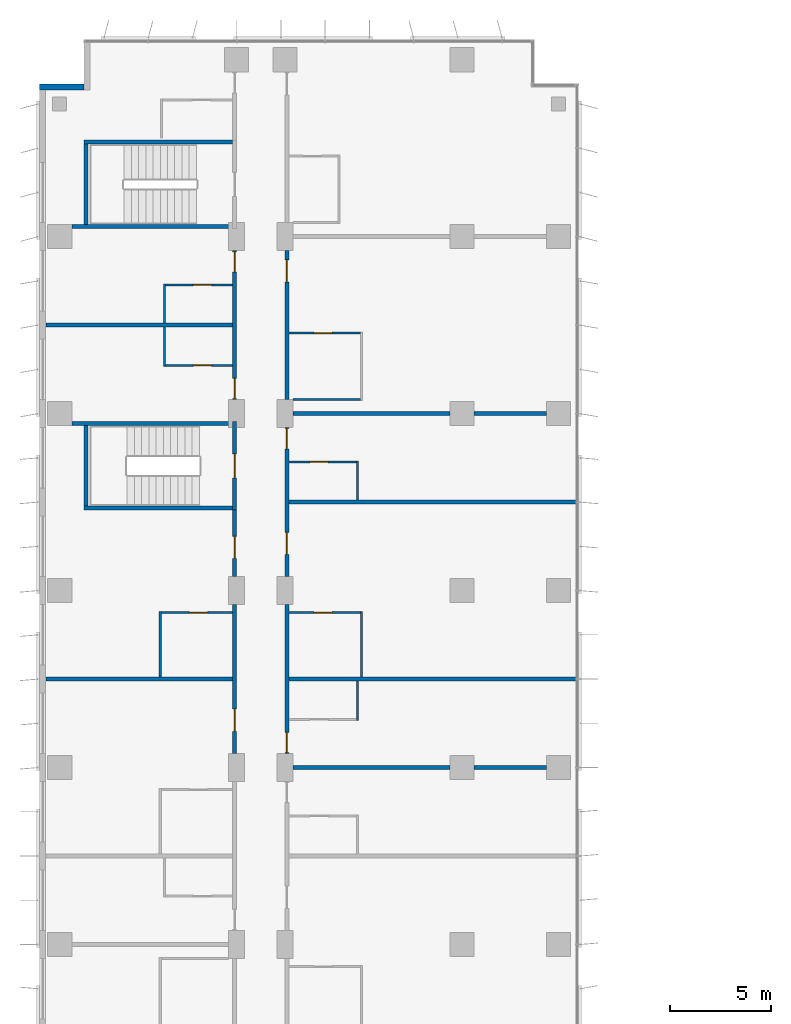
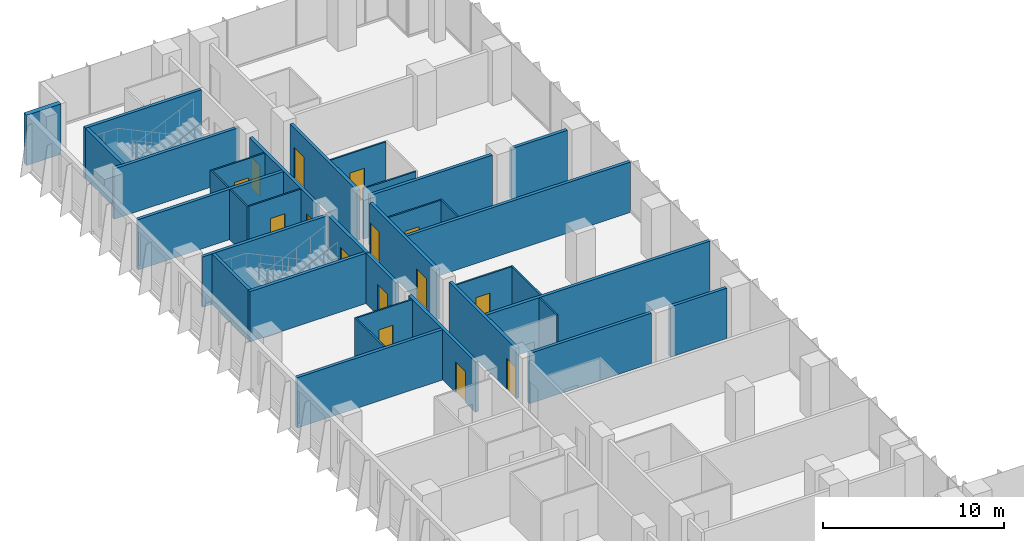
# One storey, part 16 of 22: 35 walls, 15 doors, 15 openings.
"""IFC4 building model written with IfcOpenShell, lengths in metres."""

from ifc_helpers import new_model, si_unit, direction, frame, frame_2d, origin, place, context, subcontext, project, spatial, rectangle, extrude, material, layer, layer_set, type_object, element, fill, save


model = new_model("IFC4")

# Units and contexts
model_context = context("Model", 3, precision=1e-05, world=origin(), true_north=direction((0.0, 1.0)))
body_context = subcontext(model_context, "Body", "Model", "MODEL_VIEW")
ifc_project = project(units=[si_unit("LENGTHUNIT", "METRE"), si_unit("AREAUNIT", "SQUARE_METRE"), si_unit("VOLUMEUNIT", "CUBIC_METRE"), si_unit("PLANEANGLEUNIT", "RADIAN"), si_unit("MASSUNIT", "GRAM", prefix="KILO")], contexts=[model_context])

# Site, building, storey
site_placement = place(None, origin())
site = spatial("IfcSite", under=ifc_project, at=site_placement, CompositionType="ELEMENT")
building_placement = place(site_placement, origin())
building = spatial("IfcBuilding", under=site, at=building_placement, Name="Kemantara Hotel Tower", CompositionType="ELEMENT")
storey_placement = place(building_placement, frame((0.0, 0.0, 107.39990234375)))
storey = spatial("IfcBuildingStorey", under=building, at=storey_placement, Name="L25", CompositionType="ELEMENT", Elevation=107.39990234375)

# Wall
ifc_material_1 = material(Name="Bronze anodised aluminium cladding on insulated steel stud wall", Category="steel")
ifc_layer_1 = layer(ifc_material_1, 0.300048828125)
ifc_layer_set_1 = layer_set([ifc_layer_1], Name="Bronze anodised aluminium cladding on insulated steel stud wall")
wall_type_1 = type_object("IfcWallType", Name="BRONZE METAL-CLAD EXTERNAL WALL 300", PredefinedType="STANDARD", material=ifc_layer_set_1)
wall_1_placement = place(storey_placement, frame((2.199951171875, 78.85009765625, 0.0), z_axis=(0.0, 0.0, 1.0), x_axis=(-1.0, 0.0, 0.0)))
element("IfcWall", 1, at=wall_1_placement, inside=storey, type_object=wall_type_1, Name="EXTERNAL WALL L25 T2-R03", PredefinedType="STANDARD", context=body_context, shape_type="SweptSolid", body=[
    extrude(rectangle(XDim=2.199951171875, YDim=0.300048828125, at=frame_2d((1.10009765625, 0.0))), origin(), (0.0, 0.0, 1.0), 3.400146484375),
])

# Wall, opening, door
ifc_material_2 = material(Name="Gypsum board partition, steel studs and mineral wool, 200 mm", Category="steel")
ifc_layer_2 = layer(ifc_material_2, 0.199951171875)
ifc_layer_set_2 = layer_set([ifc_layer_2], Name="Gypsum board partition, steel studs and mineral wool, 200 mm")
wall_type_2 = type_object("IfcWallType", Name="CORRIDOR WALL 200", PredefinedType="PARTITIONING", material=ifc_layer_set_2)
wall_2_placement = place(storey_placement, frame((9.699951171875, 45.7001953125, 0.0), z_axis=(0.0, 0.0, 1.0), x_axis=(0.0, 1.0, 0.0)))
wall_2 = element("IfcWall", 2, at=wall_2_placement, inside=storey, type_object=wall_type_2, Name="CORRIDOR WALL 200 021", PredefinedType="PARTITIONING", context=body_context, shape_type="SweptSolid", body=[
    extrude(rectangle(XDim=7.399658203125, YDim=0.199951171875, at=frame_2d((3.69970703125, 0.0))), origin(), (0.0, 0.0, 1.0), 3.400146484375),
])
opening_1_placement = place(wall_2_placement, frame((1.099853515625, 0.0, 0.0)))
opening_1 = element("IfcOpeningElement", 3, at=opening_1_placement, cuts=wall_2, Name="Opening F11-027", PredefinedType="OPENING", context=body_context, shape_type="SweptSolid", body=[
    extrude(rectangle(XDim=1.10009765625, YDim=2.10009765625, at=frame_2d((0.550048828125, 1.050048828125))), frame((0.0, 0.10986328125, 0.0), z_axis=(0.0, -1.0, 0.0), x_axis=(1.0, 0.0, 0.0)), (0.0, 0.0, 1.0), 0.219970703125),
])
ifc_material_3 = material(Name="Hardwood veneer door leaf with steel frame", Category="steel")
door_type_1 = type_object("IfcDoorType", Name="SUITE ENTRANCE DOOR 1100 X 2100 FD30S", OperationType="NOTDEFINED", PredefinedType="DOOR", material=ifc_material_3)
door_1_placement = place(opening_1_placement, origin())
door_1 = element("IfcDoor", 4, at=door_1_placement, inside=storey, type_object=door_type_1, Name="SUITE ENTRANCE DOOR F11-027", OperationType="SINGLE_SWING_RIGHT", OverallHeight=2.10009765625, OverallWidth=1.10009765625, PredefinedType="DOOR", context=body_context, shape_type="SweptSolid", body=[
    extrude(rectangle(XDim=1.10009765625, YDim=2.10009765625, at=frame_2d((0.550048828125, 1.050048828125))), frame((0.0, 0.02490234375, 0.0), z_axis=(0.0, -1.0, 0.0), x_axis=(1.0, 0.0, 0.0)), (0.0, 0.0, 1.0), 0.050048828125),
])
fill(opening_1, door_1)

wall_3_placement = place(storey_placement, frame((9.699951171875, 54.5, 0.0), z_axis=(0.0, 0.0, 1.0), x_axis=(0.0, 1.0, 0.0)))
wall_3 = element("IfcWall", 5, at=wall_3_placement, inside=storey, type_object=wall_type_2, Name="CORRIDOR WALL 200 022", PredefinedType="PARTITIONING", context=body_context, shape_type="SweptSolid", body=[
    extrude(rectangle(XDim=3.300048828125, YDim=0.199951171875, at=frame_2d((1.64990234375, 0.0))), origin(), (0.0, 0.0, 1.0), 3.400146484375),
])
opening_2_placement = place(wall_3_placement, frame((0.89990234375, 0.0, 0.0)))
opening_2 = element("IfcOpeningElement", 6, at=opening_2_placement, cuts=wall_3, Name="Opening F11-029", PredefinedType="OPENING", context=body_context, shape_type="SweptSolid", body=[
    extrude(rectangle(XDim=1.10009765625, YDim=2.10009765625, at=frame_2d((0.550048828125, 1.050048828125))), frame((0.0, 0.10986328125, 0.0), z_axis=(0.0, -1.0, 0.0), x_axis=(1.0, 0.0, 0.0)), (0.0, 0.0, 1.0), 0.219970703125),
])
door_2_placement = place(opening_2_placement, origin())
door_2 = element("IfcDoor", 7, at=door_2_placement, inside=storey, type_object=door_type_1, Name="SUITE ENTRANCE DOOR F11-029", OperationType="SINGLE_SWING_RIGHT", OverallHeight=2.10009765625, OverallWidth=1.10009765625, PredefinedType="DOOR", context=body_context, shape_type="SweptSolid", body=[
    extrude(rectangle(XDim=1.10009765625, YDim=2.10009765625, at=frame_2d((0.550048828125, 1.050048828125))), frame((0.0, 0.02490234375, 0.0), z_axis=(0.0, -1.0, 0.0), x_axis=(1.0, 0.0, 0.0)), (0.0, 0.0, 1.0), 0.050048828125),
])
fill(opening_2, door_2)

# Wall, openings, doors
wall_4_placement = place(storey_placement, frame((9.699951171875, 63.300048828125, 0.0), z_axis=(0.0, 0.0, 1.0), x_axis=(0.0, 1.0, 0.0)))
wall_4 = element("IfcWall", 8, at=wall_4_placement, inside=storey, type_object=wall_type_2, Name="CORRIDOR WALL 200 023", PredefinedType="PARTITIONING", context=body_context, shape_type="SweptSolid", body=[
    extrude(rectangle(XDim=7.39990234375, YDim=0.199951171875, at=frame_2d((3.699951171875, 0.0))), origin(), (0.0, 0.0, 1.0), 3.400146484375),
])
opening_3_placement = place(wall_4_placement, frame((0.0498046875, 0.0, 0.0)))
opening_3 = element("IfcOpeningElement", 9, at=opening_3_placement, cuts=wall_4, Name="Opening F11-031", PredefinedType="OPENING", context=body_context, shape_type="SweptSolid", body=[
    extrude(rectangle(XDim=1.0, YDim=2.10009765625, at=frame_2d((0.5, 1.050048828125))), frame((0.0, 0.10986328125, 0.0), z_axis=(0.0, -1.0, 0.0), x_axis=(1.0, 0.0, 0.0)), (0.0, 0.0, 1.0), 0.219970703125),
])
opening_4_placement = place(wall_4_placement, frame((6.349853515625, 0.0, 0.0)))
opening_4 = element("IfcOpeningElement", 10, at=opening_4_placement, cuts=wall_4, Name="Opening F11-033", PredefinedType="OPENING", context=body_context, shape_type="SweptSolid", body=[
    extrude(rectangle(XDim=1.0, YDim=2.10009765625, at=frame_2d((0.5, 1.050048828125))), frame((0.0, 0.10986328125, 0.0), z_axis=(0.0, -1.0, 0.0), x_axis=(1.0, 0.0, 0.0)), (0.0, 0.0, 1.0), 0.219970703125),
])
door_type_2 = type_object("IfcDoorType", Name="GUEST ROOM DOOR 1000 X 2100 FD30S", OperationType="NOTDEFINED", PredefinedType="DOOR", material=ifc_material_3)
door_3_placement = place(opening_3_placement, origin())
door_3 = element("IfcDoor", 11, at=door_3_placement, inside=storey, type_object=door_type_2, Name="GUEST ROOM DOOR F11-031", OperationType="SINGLE_SWING_LEFT", OverallHeight=2.10009765625, OverallWidth=1.0, PredefinedType="DOOR", context=body_context, shape_type="SweptSolid", body=[
    extrude(rectangle(XDim=1.0, YDim=2.10009765625, at=frame_2d((0.5, 1.050048828125))), frame((0.0, 0.02490234375, 0.0), z_axis=(0.0, -1.0, 0.0), x_axis=(1.0, 0.0, 0.0)), (0.0, 0.0, 1.0), 0.050048828125),
])
fill(opening_3, door_3)
door_4_placement = place(opening_4_placement, origin())
door_4 = element("IfcDoor", 12, at=door_4_placement, inside=storey, type_object=door_type_2, Name="GUEST ROOM DOOR F11-033", OperationType="SINGLE_SWING_RIGHT", OverallHeight=2.10009765625, OverallWidth=1.0, PredefinedType="DOOR", context=body_context, shape_type="SweptSolid", body=[
    extrude(rectangle(XDim=1.0, YDim=2.10009765625, at=frame_2d((0.5, 1.050048828125))), frame((0.0, 0.02490234375, 0.0), z_axis=(0.0, -1.0, 0.0), x_axis=(1.0, 0.0, 0.0)), (0.0, 0.0, 1.0), 0.050048828125),
])
fill(opening_4, door_4)

# Wall, opening, door
wall_5_placement = place(storey_placement, frame((12.300048828125, 53.099853515625, 0.0), z_axis=(0.0, 0.0, 1.0), x_axis=(0.0, -1.0, 0.0)))
wall_5 = element("IfcWall", 13, at=wall_5_placement, inside=storey, type_object=wall_type_2, Name="CORRIDOR WALL 200 036", PredefinedType="PARTITIONING", context=body_context, shape_type="SweptSolid", body=[
    extrude(rectangle(XDim=7.399658203125, YDim=0.199951171875, at=frame_2d((3.69970703125, 0.0))), origin(), (0.0, 0.0, 1.0), 3.400146484375),
])
opening_5_placement = place(wall_5_placement, frame((6.349853515625, 0.0, 0.0)))
opening_5 = element("IfcOpeningElement", 14, at=opening_5_placement, cuts=wall_5, Name="Opening F11-043", PredefinedType="OPENING", context=body_context, shape_type="SweptSolid", body=[
    extrude(rectangle(XDim=1.0, YDim=2.10009765625, at=frame_2d((0.5, 1.050048828125))), frame((0.0, 0.10986328125, 0.0), z_axis=(0.0, -1.0, 0.0), x_axis=(1.0, 0.0, 0.0)), (0.0, 0.0, 1.0), 0.219970703125),
])
door_5_placement = place(opening_5_placement, origin())
door_5 = element("IfcDoor", 15, at=door_5_placement, inside=storey, type_object=door_type_2, Name="GUEST ROOM DOOR F11-043", OperationType="SINGLE_SWING_RIGHT", OverallHeight=2.10009765625, OverallWidth=1.0, PredefinedType="DOOR", context=body_context, shape_type="SweptSolid", body=[
    extrude(rectangle(XDim=1.0, YDim=2.10009765625, at=frame_2d((0.5, 1.050048828125))), frame((0.0, 0.02490234375, 0.0), z_axis=(0.0, -1.0, 0.0), x_axis=(1.0, 0.0, 0.0)), (0.0, 0.0, 1.0), 0.050048828125),
])
fill(opening_5, door_5)

# Wall, openings, doors
wall_6_placement = place(storey_placement, frame((12.300048828125, 61.89990234375, 0.0), z_axis=(0.0, 0.0, 1.0), x_axis=(0.0, -1.0, 0.0)))
wall_6 = element("IfcWall", 16, at=wall_6_placement, inside=storey, type_object=wall_type_2, Name="CORRIDOR WALL 200 037", PredefinedType="PARTITIONING", context=body_context, shape_type="SweptSolid", body=[
    extrude(rectangle(XDim=7.39990234375, YDim=0.199951171875, at=frame_2d((3.699951171875, 0.0))), origin(), (0.0, 0.0, 1.0), 3.400146484375),
])
opening_6_placement = place(wall_6_placement, frame((5.199951171875, 0.0, 0.0)))
opening_6 = element("IfcOpeningElement", 17, at=opening_6_placement, cuts=wall_6, Name="Opening F11-045", PredefinedType="OPENING", context=body_context, shape_type="SweptSolid", body=[
    extrude(rectangle(XDim=1.10009765625, YDim=2.10009765625, at=frame_2d((0.550048828125, 1.050048828125))), frame((0.0, 0.10986328125, 0.0), z_axis=(0.0, -1.0, 0.0), x_axis=(1.0, 0.0, 0.0)), (0.0, 0.0, 1.0), 0.219970703125),
])
opening_7_placement = place(wall_6_placement, frame((0.0498046875, 0.0, 0.0)))
opening_7 = element("IfcOpeningElement", 18, at=opening_7_placement, cuts=wall_6, Name="Opening F11-047", PredefinedType="OPENING", context=body_context, shape_type="SweptSolid", body=[
    extrude(rectangle(XDim=1.0, YDim=2.10009765625, at=frame_2d((0.5, 1.050048828125))), frame((0.0, 0.10986328125, 0.0), z_axis=(0.0, -1.0, 0.0), x_axis=(1.0, 0.0, 0.0)), (0.0, 0.0, 1.0), 0.219970703125),
])
door_6_placement = place(opening_7_placement, origin())
door_6 = element("IfcDoor", 19, at=door_6_placement, inside=storey, type_object=door_type_2, Name="GUEST ROOM DOOR F11-047", OperationType="SINGLE_SWING_LEFT", OverallHeight=2.10009765625, OverallWidth=1.0, PredefinedType="DOOR", context=body_context, shape_type="SweptSolid", body=[
    extrude(rectangle(XDim=1.0, YDim=2.10009765625, at=frame_2d((0.5, 1.050048828125))), frame((0.0, 0.02490234375, 0.0), z_axis=(0.0, -1.0, 0.0), x_axis=(1.0, 0.0, 0.0)), (0.0, 0.0, 1.0), 0.050048828125),
])
fill(opening_7, door_6)
door_7_placement = place(opening_6_placement, origin())
door_7 = element("IfcDoor", 20, at=door_7_placement, inside=storey, type_object=door_type_1, Name="SUITE ENTRANCE DOOR F11-045", OperationType="SINGLE_SWING_LEFT", OverallHeight=2.10009765625, OverallWidth=1.10009765625, PredefinedType="DOOR", context=body_context, shape_type="SweptSolid", body=[
    extrude(rectangle(XDim=1.10009765625, YDim=2.10009765625, at=frame_2d((0.550048828125, 1.050048828125))), frame((0.0, 0.02490234375, 0.0), z_axis=(0.0, -1.0, 0.0), x_axis=(1.0, 0.0, 0.0)), (0.0, 0.0, 1.0), 0.050048828125),
])
fill(opening_6, door_7)

# Wall, opening, door
wall_7_placement = place(storey_placement, frame((12.300048828125, 70.699951171875, 0.0), z_axis=(0.0, 0.0, 1.0), x_axis=(0.0, -1.0, 0.0)))
wall_7 = element("IfcWall", 21, at=wall_7_placement, inside=storey, type_object=wall_type_2, Name="CORRIDOR WALL 200 038", PredefinedType="PARTITIONING", context=body_context, shape_type="SweptSolid", body=[
    extrude(rectangle(XDim=7.39990234375, YDim=0.199951171875, at=frame_2d((3.699951171875, 0.0))), origin(), (0.0, 0.0, 1.0), 3.400146484375),
])
opening_8_placement = place(wall_7_placement, frame((0.449951171875, 0.0, 0.0)))
opening_8 = element("IfcOpeningElement", 22, at=opening_8_placement, cuts=wall_7, Name="Opening F11-049", PredefinedType="OPENING", context=body_context, shape_type="SweptSolid", body=[
    extrude(rectangle(XDim=1.10009765625, YDim=2.10009765625, at=frame_2d((0.550048828125, 1.050048828125))), frame((0.0, 0.10986328125, 0.0), z_axis=(0.0, -1.0, 0.0), x_axis=(1.0, 0.0, 0.0)), (0.0, 0.0, 1.0), 0.219970703125),
])
door_8_placement = place(opening_8_placement, origin())
door_8 = element("IfcDoor", 23, at=door_8_placement, inside=storey, type_object=door_type_1, Name="SUITE ENTRANCE DOOR F11-049", OperationType="SINGLE_SWING_LEFT", OverallHeight=2.10009765625, OverallWidth=1.10009765625, PredefinedType="DOOR", context=body_context, shape_type="SweptSolid", body=[
    extrude(rectangle(XDim=1.10009765625, YDim=2.10009765625, at=frame_2d((0.550048828125, 1.050048828125))), frame((0.0, 0.02490234375, 0.0), z_axis=(0.0, -1.0, 0.0), x_axis=(1.0, 0.0, 0.0)), (0.0, 0.0, 1.0), 0.050048828125),
])
fill(opening_8, door_8)

ifc_material_4 = material(Name="Concrete fc 40 MPa", Category="concrete")
ifc_layer_3 = layer(ifc_material_4, 0.199951171875)
ifc_layer_set_3 = layer_set([ifc_layer_3], Name="Concrete fc 40 MPa")
wall_type_3 = type_object("IfcWallType", Name="Concrete stair wall 200 mm", PredefinedType="SHEAR", material=ifc_layer_set_3)
wall_8_placement = place(storey_placement, frame((9.699951171875, 57.800048828125, 0.0), z_axis=(0.0, 0.0, 1.0), x_axis=(0.0, 1.0, 0.0)))
wall_8 = element("IfcWall", 24, at=wall_8_placement, inside=storey, type_object=wall_type_3, Name="Stair ST4 enclosure wall with door", PredefinedType="SHEAR", context=body_context, shape_type="SweptSolid", body=[
    extrude(rectangle(XDim=4.39990234375, YDim=0.199951171875, at=frame_2d((2.199951171875, 0.0))), origin(), (0.0, 0.0, 1.0), 3.400146484375),
])
opening_9_placement = place(wall_8_placement, frame((1.60009765625, 0.0, 0.0)))
opening_9 = element("IfcOpeningElement", 25, at=opening_9_placement, cuts=wall_8, Name="Opening ST4-C", PredefinedType="OPENING", context=body_context, shape_type="SweptSolid", body=[
    extrude(rectangle(XDim=1.199951171875, YDim=2.10009765625, at=frame_2d((0.60009765625, 1.050048828125))), frame((0.0, 0.10986328125, 0.0), z_axis=(0.0, -1.0, 0.0), x_axis=(1.0, 0.0, 0.0)), (0.0, 0.0, 1.0), 0.219970703125),
])
ifc_material_5 = material(Name="Steel fire door", Category="steel")
door_type_3 = type_object("IfcDoorType", Name="Fire door FD90 1200 x 2100", OperationType="NOTDEFINED", PredefinedType="DOOR", material=ifc_material_5)
door_9_placement = place(opening_9_placement, origin())
door_9 = element("IfcDoor", 26, at=door_9_placement, inside=storey, type_object=door_type_3, Name="Stair ST4 door", OperationType="SINGLE_SWING_RIGHT", OverallHeight=2.10009765625, OverallWidth=1.199951171875, PredefinedType="DOOR", context=body_context, shape_type="SweptSolid", body=[
    extrude(rectangle(XDim=1.199951171875, YDim=2.10009765625, at=frame_2d((0.60009765625, 1.050048828125))), frame((0.0, 0.02490234375, 0.0), z_axis=(0.0, -1.0, 0.0), x_axis=(1.0, 0.0, 0.0)), (0.0, 0.0, 1.0), 0.050048828125),
])
fill(opening_9, door_9)

# Walls
wall_9_placement = place(storey_placement, frame((1.60009765625, 62.10009765625, 0.0), z_axis=(0.0, 0.0, 1.0), x_axis=(1.0, 0.0, 0.0)))
element("IfcWall", 27, at=wall_9_placement, inside=storey, type_object=wall_type_3, Name="Stair ST4 enclosure wall N", PredefinedType="SHEAR", context=body_context, shape_type="SweptSolid", body=[
    extrude(rectangle(XDim=8.0, YDim=0.199951171875, at=frame_2d((4.0, 0.0))), origin(), (0.0, 0.0, 1.0), 3.400146484375),
])
wall_10_placement = place(storey_placement, frame((2.199951171875, 57.89990234375, 0.0), z_axis=(0.0, 0.0, 1.0), x_axis=(1.0, 0.0, 0.0)))
element("IfcWall", 28, at=wall_10_placement, inside=storey, type_object=wall_type_3, Name="Stair ST4 enclosure wall S", PredefinedType="SHEAR", context=body_context, shape_type="SweptSolid", body=[
    extrude(rectangle(XDim=7.400146484375, YDim=0.199951171875, at=frame_2d((3.7001953125, 0.0))), origin(), (0.0, 0.0, 1.0), 3.400146484375),
])
wall_11_placement = place(storey_placement, frame((2.300048828125, 58.0, 0.0), z_axis=(0.0, 0.0, 1.0), x_axis=(0.0, 1.0, 0.0)))
element("IfcWall", 29, at=wall_11_placement, inside=storey, type_object=wall_type_3, Name="Stair ST4 enclosure wall W", PredefinedType="SHEAR", context=body_context, shape_type="SweptSolid", body=[
    extrude(rectangle(XDim=4.0, YDim=0.199951171875, at=frame_2d((2.0, 0.0))), origin(), (0.0, 0.0, 1.0), 3.400146484375),
])
wall_12_placement = place(storey_placement, frame((2.199951171875, 76.10009765625, 0.0), z_axis=(0.0, 0.0, 1.0), x_axis=(1.0, 0.0, 0.0)))
element("IfcWall", 30, at=wall_12_placement, inside=storey, type_object=wall_type_3, Name="Stair ST6 enclosure wall N", PredefinedType="SHEAR", context=body_context, shape_type="SweptSolid", body=[
    extrude(rectangle(XDim=7.400146484375, YDim=0.199951171875, at=frame_2d((3.7001953125, 0.0))), origin(), (0.0, 0.0, 1.0), 3.400146484375),
])
wall_13_placement = place(storey_placement, frame((1.60009765625, 71.89990234375, 0.0), z_axis=(0.0, 0.0, 1.0), x_axis=(1.0, 0.0, 0.0)))
element("IfcWall", 31, at=wall_13_placement, inside=storey, type_object=wall_type_3, Name="Stair ST6 enclosure wall S", PredefinedType="SHEAR", context=body_context, shape_type="SweptSolid", body=[
    extrude(rectangle(XDim=8.0, YDim=0.199951171875, at=frame_2d((4.0, 0.0))), origin(), (0.0, 0.0, 1.0), 3.400146484375),
])
wall_14_placement = place(storey_placement, frame((2.300048828125, 72.0, 0.0), z_axis=(0.0, 0.0, 1.0), x_axis=(0.0, 1.0, 0.0)))
element("IfcWall", 32, at=wall_14_placement, inside=storey, type_object=wall_type_3, Name="Stair ST6 enclosure wall W", PredefinedType="SHEAR", context=body_context, shape_type="SweptSolid", body=[
    extrude(rectangle(XDim=4.0, YDim=0.199951171875, at=frame_2d((2.0, 0.0))), origin(), (0.0, 0.0, 1.0), 3.400146484375),
])
ifc_layer_4 = layer(ifc_material_2, 0.199951171875)
ifc_layer_set_4 = layer_set([ifc_layer_4], Name="Gypsum board partition, steel studs and mineral wool, 200 mm")
wall_type_4 = type_object("IfcWallType", Name="GUEST ROOM PARTY WALL 200", PredefinedType="PARTITIONING", material=ifc_layer_set_4)
wall_15_placement = place(storey_placement, frame((0.31005859375, 49.39990234375, 0.0), z_axis=(0.0, 0.0, 1.0), x_axis=(1.0, 0.0, 0.0)))
element("IfcWall", 33, at=wall_15_placement, inside=storey, type_object=wall_type_4, Name="GUEST ROOM PARTY WALL 200 030", PredefinedType="PARTITIONING", context=body_context, shape_type="SweptSolid", body=[
    extrude(rectangle(XDim=9.2900390625, YDim=0.199951171875, at=frame_2d((4.64501953125, 0.0))), origin(), (0.0, 0.0, 1.0), 3.400146484375),
])
wall_16_placement = place(storey_placement, frame((12.39990234375, 49.39990234375, 0.0), z_axis=(0.0, 0.0, 1.0), x_axis=(1.0, 0.0, 0.0)))
element("IfcWall", 34, at=wall_16_placement, inside=storey, type_object=wall_type_4, Name="GUEST ROOM PARTY WALL 200 031", PredefinedType="PARTITIONING", context=body_context, shape_type="SweptSolid", body=[
    extrude(rectangle(XDim=14.27001953125, YDim=0.199951171875, at=frame_2d((7.135009765625, 0.0))), origin(), (0.0, 0.0, 1.0), 3.400146484375),
])
wall_17_placement = place(storey_placement, frame((0.31005859375, 67.0, 0.0), z_axis=(0.0, 0.0, 1.0), x_axis=(1.0, 0.0, 0.0)))
element("IfcWall", 35, at=wall_17_placement, inside=storey, type_object=wall_type_4, Name="GUEST ROOM PARTY WALL 200 032", PredefinedType="PARTITIONING", context=body_context, shape_type="SweptSolid", body=[
    extrude(rectangle(XDim=9.2900390625, YDim=0.199951171875, at=frame_2d((4.64501953125, 0.0))), origin(), (0.0, 0.0, 1.0), 3.400146484375),
])
wall_18_placement = place(storey_placement, frame((12.60009765625, 45.0, 0.0), z_axis=(0.0, 0.0, 1.0), x_axis=(1.0, 0.0, 0.0)))
element("IfcWall", 36, at=wall_18_placement, inside=storey, type_object=wall_type_4, Name="GUEST ROOM PARTY WALL 200 043", PredefinedType="PARTITIONING", context=body_context, shape_type="SweptSolid", body=[
    extrude(rectangle(XDim=7.7998046875, YDim=0.199951171875, at=frame_2d((3.89990234375, 0.0))), origin(), (0.0, 0.0, 1.0), 3.400146484375),
])
wall_19_placement = place(storey_placement, frame((21.60009765625, 45.0, 0.0), z_axis=(0.0, 0.0, 1.0), x_axis=(1.0, 0.0, 0.0)))
element("IfcWall", 37, at=wall_19_placement, inside=storey, type_object=wall_type_4, Name="GUEST ROOM PARTY WALL 200 044", PredefinedType="PARTITIONING", context=body_context, shape_type="SweptSolid", body=[
    extrude(rectangle(XDim=3.599853515625, YDim=0.199951171875, at=frame_2d((1.7998046875, 0.0))), origin(), (0.0, 0.0, 1.0), 3.400146484375),
])
wall_20_placement = place(storey_placement, frame((12.39990234375, 58.199951171875, 0.0), z_axis=(0.0, 0.0, 1.0), x_axis=(1.0, 0.0, 0.0)))
element("IfcWall", 38, at=wall_20_placement, inside=storey, type_object=wall_type_4, Name="GUEST ROOM PARTY WALL 200 045", PredefinedType="PARTITIONING", context=body_context, shape_type="SweptSolid", body=[
    extrude(rectangle(XDim=14.27001953125, YDim=0.199951171875, at=frame_2d((7.135009765625, 0.0))), origin(), (0.0, 0.0, 1.0), 3.400146484375),
])
wall_21_placement = place(storey_placement, frame((12.60009765625, 62.60009765625, 0.0), z_axis=(0.0, 0.0, 1.0), x_axis=(1.0, 0.0, 0.0)))
element("IfcWall", 39, at=wall_21_placement, inside=storey, type_object=wall_type_4, Name="GUEST ROOM PARTY WALL 200 046", PredefinedType="PARTITIONING", context=body_context, shape_type="SweptSolid", body=[
    extrude(rectangle(XDim=7.7998046875, YDim=0.199951171875, at=frame_2d((3.89990234375, 0.0))), origin(), (0.0, 0.0, 1.0), 3.400146484375),
])
wall_22_placement = place(storey_placement, frame((21.60009765625, 62.60009765625, 0.0), z_axis=(0.0, 0.0, 1.0), x_axis=(1.0, 0.0, 0.0)))
element("IfcWall", 40, at=wall_22_placement, inside=storey, type_object=wall_type_4, Name="GUEST ROOM PARTY WALL 200 047", PredefinedType="PARTITIONING", context=body_context, shape_type="SweptSolid", body=[
    extrude(rectangle(XDim=3.599853515625, YDim=0.199951171875, at=frame_2d((1.7998046875, 0.0))), origin(), (0.0, 0.0, 1.0), 3.400146484375),
])
ifc_material_6 = material(Name="Gypsum board partition on steel studs, 100 mm", Category="steel")
ifc_layer_5 = layer(ifc_material_6, 0.10009765625)
ifc_layer_set_5 = layer_set([ifc_layer_5], Name="Gypsum board partition on steel studs, 100 mm")
wall_type_5 = type_object("IfcWallType", Name="ROOM PARTITION 100", PredefinedType="PARTITIONING", material=ifc_layer_set_5)
for number, where, z_axis, x_axis, name in (
    (41, (6.199951171875, 64.949951171875, 0.0), (0.0, 0.0, 1.0), (0.0, 1.0, 0.0), "ROOM PARTITION 100 073"),
    (42, (6.199951171875, 67.10009765625, 0.0), (0.0, 0.0, 1.0), (0.0, 1.0, 0.0), "ROOM PARTITION 100 074"),
):
    element("IfcWall", number, at=place(storey_placement, frame(where, z_axis=z_axis, x_axis=x_axis)), inside=storey, type_object=wall_type_5, Name=name, PredefinedType="PARTITIONING", context=body_context, shape_type="SweptSolid", body=[
        extrude(rectangle(XDim=1.949951171875, YDim=0.10009765625, at=frame_2d((0.97509765625, 0.0))), origin(), (0.0, 0.0, 1.0), 3.400146484375),
    ])
wall_23_placement = place(storey_placement, frame((6.0, 49.5, 0.0), z_axis=(0.0, 0.0, 1.0), x_axis=(0.0, 1.0, 0.0)))
element("IfcWall", 43, at=wall_23_placement, inside=storey, type_object=wall_type_5, Name="ROOM PARTITION 100 078", PredefinedType="PARTITIONING", context=body_context, shape_type="SweptSolid", body=[
    extrude(rectangle(XDim=3.25, YDim=0.10009765625, at=frame_2d((1.625, 0.0))), origin(), (0.0, 0.0, 1.0), 3.400146484375),
])

# Wall, opening, door
wall_24_placement = place(storey_placement, frame((9.60009765625, 52.699951171875, 0.0), z_axis=(0.0, 0.0, 1.0), x_axis=(-1.0, 0.0, 0.0)))
wall_24 = element("IfcWall", 44, at=wall_24_placement, inside=storey, type_object=wall_type_5, Name="ROOM PARTITION 100 083", PredefinedType="PARTITIONING", context=body_context, shape_type="SweptSolid", body=[
    extrude(rectangle(XDim=3.550048828125, YDim=0.10009765625, at=frame_2d((1.77490234375, 0.0))), origin(), (0.0, 0.0, 1.0), 3.400146484375),
])
opening_10_placement = place(wall_24_placement, frame((1.25, 0.0, 0.0)))
opening_10 = element("IfcOpeningElement", 45, at=opening_10_placement, cuts=wall_24, Name="Opening F11-030", PredefinedType="OPENING", context=body_context, shape_type="SweptSolid", body=[
    extrude(rectangle(XDim=0.89990234375, YDim=2.10009765625, at=frame_2d((0.449951171875, 1.050048828125))), frame((0.0, 0.06005859375, 0.0), z_axis=(0.0, -1.0, 0.0), x_axis=(1.0, 0.0, 0.0)), (0.0, 0.0, 1.0), 0.1201171875),
])
door_type_4 = type_object("IfcDoorType", Name="BATHROOM DOOR 900 X 2100", OperationType="NOTDEFINED", PredefinedType="DOOR", material=ifc_material_3)
door_10_placement = place(opening_10_placement, origin())
door_10 = element("IfcDoor", 46, at=door_10_placement, inside=storey, type_object=door_type_4, Name="BATHROOM DOOR F11-030", OperationType="SINGLE_SWING_LEFT", OverallHeight=2.10009765625, OverallWidth=0.89990234375, PredefinedType="DOOR", context=body_context, shape_type="SweptSolid", body=[
    extrude(rectangle(XDim=0.89990234375, YDim=2.10009765625, at=frame_2d((0.449951171875, 1.050048828125))), frame((0.0, 0.02490234375, 0.0), z_axis=(0.0, -1.0, 0.0), x_axis=(1.0, 0.0, 0.0)), (0.0, 0.0, 1.0), 0.050048828125),
])
fill(opening_10, door_10)

wall_25_placement = place(storey_placement, frame((15.949951171875, 52.699951171875, 0.0), z_axis=(0.0, 0.0, 1.0), x_axis=(-1.0, 0.0, 0.0)))
wall_25 = element("IfcWall", 47, at=wall_25_placement, inside=storey, type_object=wall_type_5, Name="ROOM PARTITION 100 084", PredefinedType="PARTITIONING", context=body_context, shape_type="SweptSolid", body=[
    extrude(rectangle(XDim=3.550048828125, YDim=0.10009765625, at=frame_2d((1.77490234375, 0.0))), origin(), (0.0, 0.0, 1.0), 3.400146484375),
])
opening_11_placement = place(wall_25_placement, frame((1.39990234375, 0.0, 0.0)))
opening_11 = element("IfcOpeningElement", 48, at=opening_11_placement, cuts=wall_25, Name="Opening F11-046", PredefinedType="OPENING", context=body_context, shape_type="SweptSolid", body=[
    extrude(rectangle(XDim=0.89990234375, YDim=2.10009765625, at=frame_2d((0.449951171875, 1.050048828125))), frame((0.0, 0.06005859375, 0.0), z_axis=(0.0, -1.0, 0.0), x_axis=(1.0, 0.0, 0.0)), (0.0, 0.0, 1.0), 0.1201171875),
])
door_11_placement = place(opening_11_placement, origin())
door_11 = element("IfcDoor", 49, at=door_11_placement, inside=storey, type_object=door_type_4, Name="BATHROOM DOOR F11-046", OperationType="SINGLE_SWING_RIGHT", OverallHeight=2.10009765625, OverallWidth=0.89990234375, PredefinedType="DOOR", context=body_context, shape_type="SweptSolid", body=[
    extrude(rectangle(XDim=0.89990234375, YDim=2.10009765625, at=frame_2d((0.449951171875, 1.050048828125))), frame((0.0, 0.02490234375, 0.0), z_axis=(0.0, -1.0, 0.0), x_axis=(1.0, 0.0, 0.0)), (0.0, 0.0, 1.0), 0.050048828125),
])
fill(opening_11, door_11)

wall_26_placement = place(storey_placement, frame((6.25, 65.0, 0.0), z_axis=(0.0, 0.0, 1.0), x_axis=(1.0, 0.0, 0.0)))
wall_26 = element("IfcWall", 50, at=wall_26_placement, inside=storey, type_object=wall_type_5, Name="ROOM PARTITION 100 085", PredefinedType="PARTITIONING", context=body_context, shape_type="SweptSolid", body=[
    extrude(rectangle(XDim=3.35009765625, YDim=0.10009765625, at=frame_2d((1.675048828125, 0.0))), origin(), (0.0, 0.0, 1.0), 3.400146484375),
])
opening_12_placement = place(wall_26_placement, frame((1.39990234375, 0.0, 0.0)))
opening_12 = element("IfcOpeningElement", 51, at=opening_12_placement, cuts=wall_26, Name="Opening F11-032", PredefinedType="OPENING", context=body_context, shape_type="SweptSolid", body=[
    extrude(rectangle(XDim=0.89990234375, YDim=2.10009765625, at=frame_2d((0.449951171875, 1.050048828125))), frame((0.0, 0.06005859375, 0.0), z_axis=(0.0, -1.0, 0.0), x_axis=(1.0, 0.0, 0.0)), (0.0, 0.0, 1.0), 0.1201171875),
])
door_12_placement = place(opening_12_placement, origin())
door_12 = element("IfcDoor", 52, at=door_12_placement, inside=storey, type_object=door_type_4, Name="BATHROOM DOOR F11-032", OperationType="SINGLE_SWING_RIGHT", OverallHeight=2.10009765625, OverallWidth=0.89990234375, PredefinedType="DOOR", context=body_context, shape_type="SweptSolid", body=[
    extrude(rectangle(XDim=0.89990234375, YDim=2.10009765625, at=frame_2d((0.449951171875, 1.050048828125))), frame((0.0, 0.02490234375, 0.0), z_axis=(0.0, -1.0, 0.0), x_axis=(1.0, 0.0, 0.0)), (0.0, 0.0, 1.0), 0.050048828125),
])
fill(opening_12, door_12)

wall_27_placement = place(storey_placement, frame((9.60009765625, 69.0, 0.0), z_axis=(0.0, 0.0, 1.0), x_axis=(-1.0, 0.0, 0.0)))
wall_27 = element("IfcWall", 53, at=wall_27_placement, inside=storey, type_object=wall_type_5, Name="ROOM PARTITION 100 086", PredefinedType="PARTITIONING", context=body_context, shape_type="SweptSolid", body=[
    extrude(rectangle(XDim=3.35009765625, YDim=0.10009765625, at=frame_2d((1.675048828125, 0.0))), origin(), (0.0, 0.0, 1.0), 3.400146484375),
])
opening_13_placement = place(wall_27_placement, frame((1.050048828125, 0.0, 0.0)))
opening_13 = element("IfcOpeningElement", 54, at=opening_13_placement, cuts=wall_27, Name="Opening F11-034", PredefinedType="OPENING", context=body_context, shape_type="SweptSolid", body=[
    extrude(rectangle(XDim=0.89990234375, YDim=2.10009765625, at=frame_2d((0.449951171875, 1.050048828125))), frame((0.0, 0.06005859375, 0.0), z_axis=(0.0, -1.0, 0.0), x_axis=(1.0, 0.0, 0.0)), (0.0, 0.0, 1.0), 0.1201171875),
])
door_13_placement = place(opening_13_placement, origin())
door_13 = element("IfcDoor", 55, at=door_13_placement, inside=storey, type_object=door_type_4, Name="BATHROOM DOOR F11-034", OperationType="SINGLE_SWING_LEFT", OverallHeight=2.10009765625, OverallWidth=0.89990234375, PredefinedType="DOOR", context=body_context, shape_type="SweptSolid", body=[
    extrude(rectangle(XDim=0.89990234375, YDim=2.10009765625, at=frame_2d((0.449951171875, 1.050048828125))), frame((0.0, 0.02490234375, 0.0), z_axis=(0.0, -1.0, 0.0), x_axis=(1.0, 0.0, 0.0)), (0.0, 0.0, 1.0), 0.050048828125),
])
fill(opening_13, door_13)

# Walls
wall_28_placement = place(storey_placement, frame((16.0, 49.5, 0.0), z_axis=(0.0, 0.0, 1.0), x_axis=(0.0, 1.0, 0.0)))
element("IfcWall", 56, at=wall_28_placement, inside=storey, type_object=wall_type_5, Name="ROOM PARTITION 100 090", PredefinedType="PARTITIONING", context=body_context, shape_type="SweptSolid", body=[
    extrude(rectangle(XDim=3.25, YDim=0.10009765625, at=frame_2d((1.625, 0.0))), origin(), (0.0, 0.0, 1.0), 3.400146484375),
])
for number, where, z_axis, x_axis, name in (
    (57, (15.800048828125, 47.35009765625, 0.0), (0.0, 0.0, 1.0), (0.0, 1.0, 0.0), "ROOM PARTITION 100 095"),
    (58, (15.800048828125, 58.300048828125, 0.0), (0.0, 0.0, 1.0), (0.0, 1.0, 0.0), "ROOM PARTITION 100 096"),
):
    element("IfcWall", number, at=place(storey_placement, frame(where, z_axis=z_axis, x_axis=x_axis)), inside=storey, type_object=wall_type_5, Name=name, PredefinedType="PARTITIONING", context=body_context, shape_type="SweptSolid", body=[
        extrude(rectangle(XDim=1.949951171875, YDim=0.10009765625, at=frame_2d((0.97509765625, 0.0))), origin(), (0.0, 0.0, 1.0), 3.400146484375),
    ])

# Wall, opening, door
wall_29_placement = place(storey_placement, frame((15.75, 60.199951171875, 0.0), z_axis=(0.0, 0.0, 1.0), x_axis=(-1.0, 0.0, 0.0)))
wall_29 = element("IfcWall", 59, at=wall_29_placement, inside=storey, type_object=wall_type_5, Name="ROOM PARTITION 100 099", PredefinedType="PARTITIONING", context=body_context, shape_type="SweptSolid", body=[
    extrude(rectangle(XDim=3.35009765625, YDim=0.10009765625, at=frame_2d((1.675048828125, 0.0))), origin(), (0.0, 0.0, 1.0), 3.400146484375),
])
opening_14_placement = place(wall_29_placement, frame((1.39990234375, 0.0, 0.0)))
opening_14 = element("IfcOpeningElement", 60, at=opening_14_placement, cuts=wall_29, Name="Opening F11-048", PredefinedType="OPENING", context=body_context, shape_type="SweptSolid", body=[
    extrude(rectangle(XDim=0.89990234375, YDim=2.10009765625, at=frame_2d((0.449951171875, 1.050048828125))), frame((0.0, 0.06005859375, 0.0), z_axis=(0.0, -1.0, 0.0), x_axis=(1.0, 0.0, 0.0)), (0.0, 0.0, 1.0), 0.1201171875),
])
door_14_placement = place(opening_14_placement, origin())
door_14 = element("IfcDoor", 61, at=door_14_placement, inside=storey, type_object=door_type_4, Name="BATHROOM DOOR F11-048", OperationType="SINGLE_SWING_RIGHT", OverallHeight=2.10009765625, OverallWidth=0.89990234375, PredefinedType="DOOR", context=body_context, shape_type="SweptSolid", body=[
    extrude(rectangle(XDim=0.89990234375, YDim=2.10009765625, at=frame_2d((0.449951171875, 1.050048828125))), frame((0.0, 0.02490234375, 0.0), z_axis=(0.0, -1.0, 0.0), x_axis=(1.0, 0.0, 0.0)), (0.0, 0.0, 1.0), 0.050048828125),
])
fill(opening_14, door_14)

# Wall
wall_30_placement = place(storey_placement, frame((12.60009765625, 63.300048828125, 0.0), z_axis=(0.0, 0.0, 1.0), x_axis=(1.0, 0.0, 0.0)))
element("IfcWall", 62, at=wall_30_placement, inside=storey, type_object=wall_type_5, Name="ROOM PARTITION 100 100", PredefinedType="PARTITIONING", context=body_context, shape_type="SweptSolid", body=[
    extrude(rectangle(XDim=3.349853515625, YDim=0.10009765625, at=frame_2d((1.6748046875, 0.0))), origin(), (0.0, 0.0, 1.0), 3.400146484375),
])

# Wall, opening, door
wall_31_placement = place(storey_placement, frame((15.949951171875, 66.60009765625, 0.0), z_axis=(0.0, 0.0, 1.0), x_axis=(-1.0, 0.0, 0.0)))
wall_31 = element("IfcWall", 63, at=wall_31_placement, inside=storey, type_object=wall_type_5, Name="ROOM PARTITION 100 101", PredefinedType="PARTITIONING", context=body_context, shape_type="SweptSolid", body=[
    extrude(rectangle(XDim=3.550048828125, YDim=0.10009765625, at=frame_2d((1.77490234375, 0.0))), origin(), (0.0, 0.0, 1.0), 3.400146484375),
])
opening_15_placement = place(wall_31_placement, frame((1.39990234375, 0.0, 0.0)))
opening_15 = element("IfcOpeningElement", 64, at=opening_15_placement, cuts=wall_31, Name="Opening F11-050", PredefinedType="OPENING", context=body_context, shape_type="SweptSolid", body=[
    extrude(rectangle(XDim=0.89990234375, YDim=2.10009765625, at=frame_2d((0.449951171875, 1.050048828125))), frame((0.0, 0.06005859375, 0.0), z_axis=(0.0, -1.0, 0.0), x_axis=(1.0, 0.0, 0.0)), (0.0, 0.0, 1.0), 0.1201171875),
])
door_15_placement = place(opening_15_placement, origin())
door_15 = element("IfcDoor", 65, at=door_15_placement, inside=storey, type_object=door_type_4, Name="BATHROOM DOOR F11-050", OperationType="SINGLE_SWING_RIGHT", OverallHeight=2.10009765625, OverallWidth=0.89990234375, PredefinedType="DOOR", context=body_context, shape_type="SweptSolid", body=[
    extrude(rectangle(XDim=0.89990234375, YDim=2.10009765625, at=frame_2d((0.449951171875, 1.050048828125))), frame((0.0, 0.02490234375, 0.0), z_axis=(0.0, -1.0, 0.0), x_axis=(1.0, 0.0, 0.0)), (0.0, 0.0, 1.0), 0.050048828125),
])
fill(opening_15, door_15)

save(model, "model.ifc")
